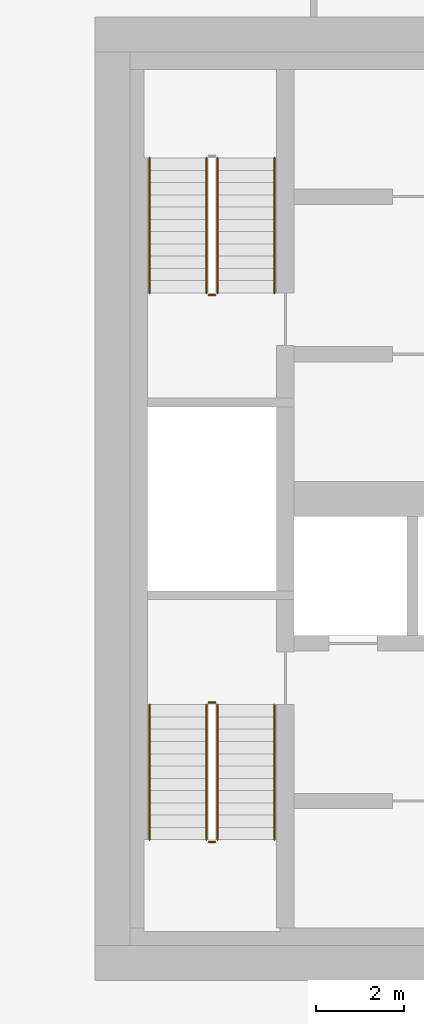
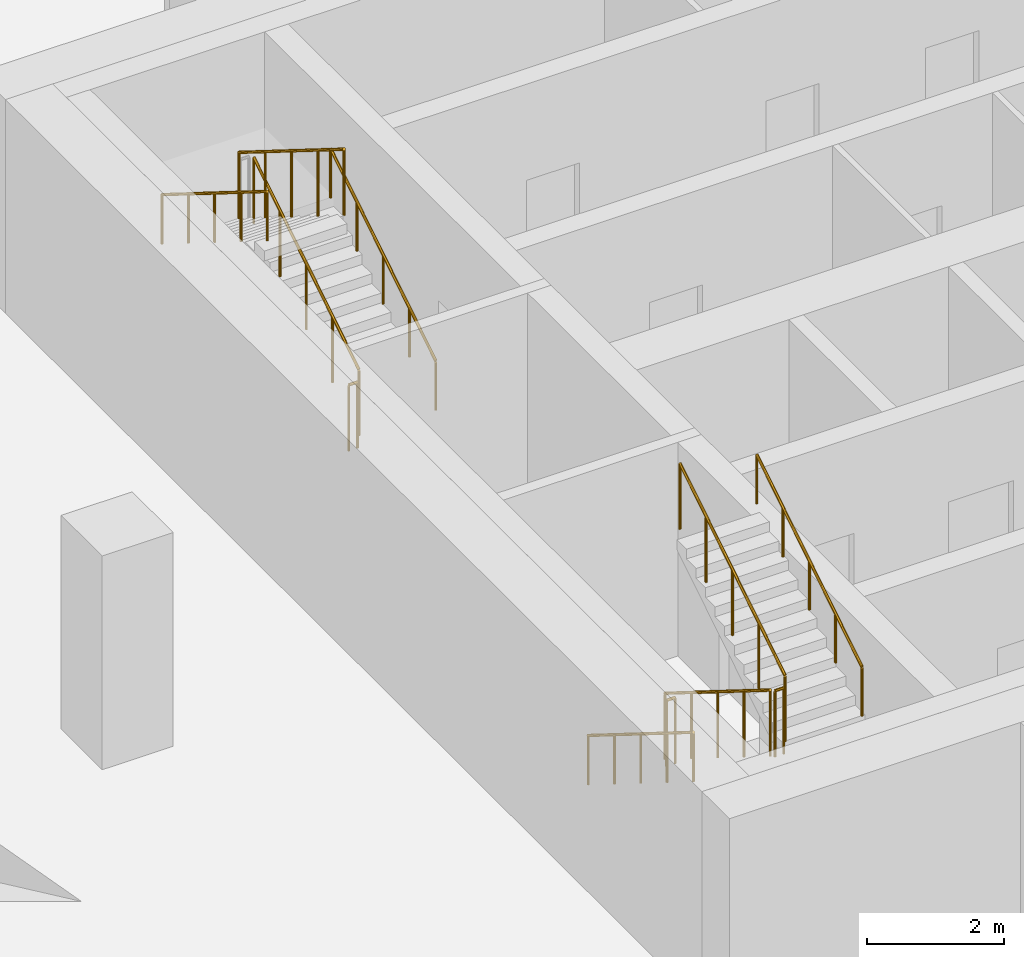
# One storey, part 15 of 18: 11 railings.
"""IFC4 building model written with IfcOpenShell, lengths in metres."""

from ifc_helpers import new_model, si_unit, direction, frame, origin, origin_2d, place, context, subcontext, project, spatial, circle, extrude, material, type_object, element, save


model = new_model("IFC4")

# Units and contexts
model_context = context("Model", 3, precision=1e-05, world=origin(), true_north=direction((0.0, 1.0)))
body_context = subcontext(model_context, "Body", "Model", "MODEL_VIEW")
ifc_project = project(units=[si_unit("LENGTHUNIT", "METRE"), si_unit("AREAUNIT", "SQUARE_METRE"), si_unit("VOLUMEUNIT", "CUBIC_METRE"), si_unit("PLANEANGLEUNIT", "RADIAN"), si_unit("MASSUNIT", "GRAM", prefix="KILO")], contexts=[model_context])

# Site, building, storey
site_placement = place(None, origin())
site = spatial("IfcSite", under=ifc_project, at=site_placement, CompositionType="ELEMENT")
building_placement = place(site_placement, origin())
building = spatial("IfcBuilding", under=site, at=building_placement, Name="Dongbaek Canopy Tower", CompositionType="ELEMENT")
storey_placement = place(building_placement, frame((0.0, 0.0, 167.0)))
storey = spatial("IfcBuildingStorey", under=building, at=storey_placement, Name="L36", CompositionType="ELEMENT", Elevation=167.0)

# Railings
ifc_material_1 = material(Name="Stainless steel tube and balusters", Category="steel")
railing_type_1 = type_object("IfcRailingType", Name="Stair guard 1200", PredefinedType="GUARDRAIL", material=ifc_material_1)
railing_1_placement = place(storey_placement, frame((-11.199951171875, 4.699951171875, 0.175048828125)))
element("IfcRailing", 1, at=railing_1_placement, inside=storey, type_object=railing_type_1, Name="L36 ST-C stair guard 1", PredefinedType="GUARDRAIL", context=body_context, shape_type="SweptSolid", body=[
    extrude(circle(Radius=0.02392578125, at=origin_2d()), frame((0.0, 0.0, 1.17578125), z_axis=(0.0, 0.847998304005, 0.529998940003), x_axis=(-1.0, 0.0, 0.0)), (0.0, 0.0, 1.0), 3.632080078125),
    extrude(circle(Radius=0.02099609375, at=origin_2d()), origin(), (0.0, 0.0, 1.0), 1.15185546875),
    extrude(circle(Radius=0.02099609375, at=origin_2d()), frame((0.0, 0.77001953125, 0.481201171875)), (0.0, 0.0, 1.0), 1.15185546875),
    extrude(circle(Radius=0.02099609375, at=origin_2d()), frame((0.0, 1.5400390625, 0.96240234375)), (0.0, 0.0, 1.0), 1.15185546875),
    extrude(circle(Radius=0.02099609375, at=origin_2d()), frame((0.0, 2.31005859375, 1.44384765625)), (0.0, 0.0, 1.0), 1.15185546875),
    extrude(circle(Radius=0.02099609375, at=origin_2d()), frame((0.0, 3.080078125, 1.925048828125)), (0.0, 0.0, 1.0), 1.15185546875),
])
railing_2_placement = place(storey_placement, frame((-11.449951171875, 7.780029296875, 2.27490234375)))
element("IfcRailing", 2, at=railing_2_placement, inside=storey, type_object=railing_type_1, Name="L36 ST-C stair guard 3", PredefinedType="GUARDRAIL", context=body_context, shape_type="SweptSolid", body=[
    extrude(circle(Radius=0.02392578125, at=origin_2d()), frame((0.0, 0.0, 1.17578125), z_axis=(0.0, -0.847998304005, 0.529998940003), x_axis=(1.0, 0.0, 0.0)), (0.0, 0.0, 1.0), 3.632080078125),
    extrude(circle(Radius=0.02099609375, at=origin_2d()), origin(), (0.0, 0.0, 1.0), 1.15185546875),
    extrude(circle(Radius=0.02099609375, at=origin_2d()), frame((0.0, -0.77001953125, 0.481201171875)), (0.0, 0.0, 1.0), 1.15185546875),
    extrude(circle(Radius=0.02099609375, at=origin_2d()), frame((0.0, -1.5400390625, 0.96240234375)), (0.0, 0.0, 1.0), 1.15185546875),
    extrude(circle(Radius=0.02099609375, at=origin_2d()), frame((0.0, -2.31005859375, 1.44384765625)), (0.0, 0.0, 1.0), 1.15185546875),
    extrude(circle(Radius=0.02099609375, at=origin_2d()), frame((0.0, -3.080078125, 1.925048828125)), (0.0, 0.0, 1.0), 1.15185546875),
])
railing_3_placement = place(storey_placement, frame((-11.25, 4.64990234375, 0.0)))
element("IfcRailing", 3, at=railing_3_placement, inside=storey, type_object=railing_type_1, Name="L36 ST-C stair guard 4", PredefinedType="GUARDRAIL", context=body_context, shape_type="SweptSolid", body=[
    extrude(circle(Radius=0.02392578125, at=origin_2d()), frame((0.0, 0.0, 1.17578125), z_axis=(-1.0, 0.0, 0.0), x_axis=(0.0, -1.0, 0.0)), (0.0, 0.0, 1.0), 0.14990234375),
    extrude(circle(Radius=0.02099609375, at=origin_2d()), origin(), (0.0, 0.0, 1.0), 1.15185546875),
    extrude(circle(Radius=0.02099609375, at=origin_2d()), frame((-0.14990234375, 0.0, 0.0)), (0.0, 0.0, 1.0), 1.15185546875),
])
railing_4_placement = place(storey_placement, frame((-11.449951171875, -4.699951171875, 0.175048828125)))
element("IfcRailing", 4, at=railing_4_placement, inside=storey, type_object=railing_type_1, Name="L36 ST-D stair guard 1", PredefinedType="GUARDRAIL", context=body_context, shape_type="SweptSolid", body=[
    extrude(circle(Radius=0.02392578125, at=origin_2d()), frame((0.0, 0.0, 1.17578125), z_axis=(0.0, -0.847998304005, 0.529998940003), x_axis=(1.0, 0.0, 0.0)), (0.0, 0.0, 1.0), 3.632080078125),
    extrude(circle(Radius=0.02099609375, at=origin_2d()), origin(), (0.0, 0.0, 1.0), 1.15185546875),
    extrude(circle(Radius=0.02099609375, at=origin_2d()), frame((0.0, -0.77001953125, 0.481201171875)), (0.0, 0.0, 1.0), 1.15185546875),
    extrude(circle(Radius=0.02099609375, at=origin_2d()), frame((0.0, -1.5400390625, 0.96240234375)), (0.0, 0.0, 1.0), 1.15185546875),
    extrude(circle(Radius=0.02099609375, at=origin_2d()), frame((0.0, -2.31005859375, 1.44384765625)), (0.0, 0.0, 1.0), 1.15185546875),
    extrude(circle(Radius=0.02099609375, at=origin_2d()), frame((0.0, -3.080078125, 1.925048828125)), (0.0, 0.0, 1.0), 1.15185546875),
])
railing_5_placement = place(storey_placement, frame((-11.39990234375, -7.830078125, 2.10009765625)))
element("IfcRailing", 5, at=railing_5_placement, inside=storey, type_object=railing_type_1, Name="L36 ST-D stair guard 2", PredefinedType="GUARDRAIL", context=body_context, shape_type="SweptSolid", body=[
    extrude(circle(Radius=0.02392578125, at=origin_2d()), frame((0.0, 0.0, 1.17578125), z_axis=(1.0, 0.0, 0.0), x_axis=(0.0, 1.0, 0.0)), (0.0, 0.0, 1.0), 0.14990234375),
    extrude(circle(Radius=0.02099609375, at=origin_2d()), origin(), (0.0, 0.0, 1.0), 1.15185546875),
    extrude(circle(Radius=0.02099609375, at=origin_2d()), frame((0.14990234375, 0.0, 0.0)), (0.0, 0.0, 1.0), 1.15185546875),
])
railing_6_placement = place(storey_placement, frame((-11.199951171875, -7.780029296875, 2.27490234375)))
element("IfcRailing", 6, at=railing_6_placement, inside=storey, type_object=railing_type_1, Name="L36 ST-D stair guard 3", PredefinedType="GUARDRAIL", context=body_context, shape_type="SweptSolid", body=[
    extrude(circle(Radius=0.02392578125, at=origin_2d()), frame((0.0, 0.0, 1.17578125), z_axis=(0.0, 0.847998304005, 0.529998940003), x_axis=(-1.0, 0.0, 0.0)), (0.0, 0.0, 1.0), 3.632080078125),
    extrude(circle(Radius=0.02099609375, at=origin_2d()), origin(), (0.0, 0.0, 1.0), 1.15185546875),
    extrude(circle(Radius=0.02099609375, at=origin_2d()), frame((0.0, 0.77001953125, 0.481201171875)), (0.0, 0.0, 1.0), 1.15185546875),
    extrude(circle(Radius=0.02099609375, at=origin_2d()), frame((0.0, 1.5400390625, 0.96240234375)), (0.0, 0.0, 1.0), 1.15185546875),
    extrude(circle(Radius=0.02099609375, at=origin_2d()), frame((0.0, 2.31005859375, 1.44384765625)), (0.0, 0.0, 1.0), 1.15185546875),
    extrude(circle(Radius=0.02099609375, at=origin_2d()), frame((0.0, 3.080078125, 1.925048828125)), (0.0, 0.0, 1.0), 1.15185546875),
])
railing_7_placement = place(storey_placement, frame((-11.39990234375, -4.64990234375, 0.0)))
element("IfcRailing", 7, at=railing_7_placement, inside=storey, type_object=railing_type_1, Name="L36 ST-D stair guard 4", PredefinedType="GUARDRAIL", context=body_context, shape_type="SweptSolid", body=[
    extrude(circle(Radius=0.02392578125, at=origin_2d()), frame((0.0, 0.0, 1.17578125), z_axis=(1.0, 0.0, 0.0), x_axis=(0.0, 1.0, 0.0)), (0.0, 0.0, 1.0), 0.14990234375),
    extrude(circle(Radius=0.02099609375, at=origin_2d()), origin(), (0.0, 0.0, 1.0), 1.15185546875),
    extrude(circle(Radius=0.02099609375, at=origin_2d()), frame((0.14990234375, 0.0, 0.0)), (0.0, 0.0, 1.0), 1.15185546875),
])
ifc_material_2 = material(Name="Stainless steel tube", Category="steel")
railing_type_2 = type_object("IfcRailingType", Name="Stair handrail 900", PredefinedType="HANDRAIL", material=ifc_material_2)
railing_8_placement = place(storey_placement, frame((-9.89990234375, 4.699951171875, 0.175048828125)))
element("IfcRailing", 8, at=railing_8_placement, inside=storey, type_object=railing_type_2, Name="L36 ST-C stair handrail 1", PredefinedType="HANDRAIL", context=body_context, shape_type="SweptSolid", body=[
    extrude(circle(Radius=0.02392578125, at=origin_2d()), frame((0.0, 0.0, 0.8759765625), z_axis=(0.0, 0.847998304005, 0.529998940003), x_axis=(-1.0, 0.0, 0.0)), (0.0, 0.0, 1.0), 3.632080078125),
    extrude(circle(Radius=0.02099609375, at=origin_2d()), origin(), (0.0, 0.0, 1.0), 0.851806640625),
    extrude(circle(Radius=0.02099609375, at=origin_2d()), frame((0.0, 0.77001953125, 0.481201171875)), (0.0, 0.0, 1.0), 0.851806640625),
    extrude(circle(Radius=0.02099609375, at=origin_2d()), frame((0.0, 1.5400390625, 0.96240234375)), (0.0, 0.0, 1.0), 0.851806640625),
    extrude(circle(Radius=0.02099609375, at=origin_2d()), frame((0.0, 2.31005859375, 1.44384765625)), (0.0, 0.0, 1.0), 0.851806640625),
    extrude(circle(Radius=0.02099609375, at=origin_2d()), frame((0.0, 3.080078125, 1.925048828125)), (0.0, 0.0, 1.0), 0.851806640625),
])
for number, where, name in (
    (9, (-12.75, 7.780029296875, 2.27490234375), "L36 ST-C stair handrail 2"),
    (10, (-12.75, -4.699951171875, 0.175048828125), "L36 ST-D stair handrail 1"),
):
    element("IfcRailing", number, at=place(storey_placement, frame(where)), inside=storey, type_object=railing_type_2, Name=name, PredefinedType="HANDRAIL", context=body_context, shape_type="SweptSolid", body=[
        extrude(circle(Radius=0.02392578125, at=origin_2d()), frame((0.0, 0.0, 0.8759765625), z_axis=(0.0, -0.847998304005, 0.529998940003), x_axis=(1.0, 0.0, 0.0)), (0.0, 0.0, 1.0), 3.632080078125),
        extrude(circle(Radius=0.02099609375, at=origin_2d()), origin(), (0.0, 0.0, 1.0), 0.851806640625),
        extrude(circle(Radius=0.02099609375, at=origin_2d()), frame((0.0, -0.77001953125, 0.481201171875)), (0.0, 0.0, 1.0), 0.851806640625),
        extrude(circle(Radius=0.02099609375, at=origin_2d()), frame((0.0, -1.5400390625, 0.96240234375)), (0.0, 0.0, 1.0), 0.851806640625),
        extrude(circle(Radius=0.02099609375, at=origin_2d()), frame((0.0, -2.31005859375, 1.44384765625)), (0.0, 0.0, 1.0), 0.851806640625),
        extrude(circle(Radius=0.02099609375, at=origin_2d()), frame((0.0, -3.080078125, 1.925048828125)), (0.0, 0.0, 1.0), 0.851806640625),
    ])
railing_9_placement = place(storey_placement, frame((-9.89990234375, -7.780029296875, 2.27490234375)))
element("IfcRailing", 11, at=railing_9_placement, inside=storey, type_object=railing_type_2, Name="L36 ST-D stair handrail 2", PredefinedType="HANDRAIL", context=body_context, shape_type="SweptSolid", body=[
    extrude(circle(Radius=0.02392578125, at=origin_2d()), frame((0.0, 0.0, 0.8759765625), z_axis=(0.0, 0.847998304005, 0.529998940003), x_axis=(-1.0, 0.0, 0.0)), (0.0, 0.0, 1.0), 3.632080078125),
    extrude(circle(Radius=0.02099609375, at=origin_2d()), origin(), (0.0, 0.0, 1.0), 0.851806640625),
    extrude(circle(Radius=0.02099609375, at=origin_2d()), frame((0.0, 0.77001953125, 0.481201171875)), (0.0, 0.0, 1.0), 0.851806640625),
    extrude(circle(Radius=0.02099609375, at=origin_2d()), frame((0.0, 1.5400390625, 0.96240234375)), (0.0, 0.0, 1.0), 0.851806640625),
    extrude(circle(Radius=0.02099609375, at=origin_2d()), frame((0.0, 2.31005859375, 1.44384765625)), (0.0, 0.0, 1.0), 0.851806640625),
    extrude(circle(Radius=0.02099609375, at=origin_2d()), frame((0.0, 3.080078125, 1.925048828125)), (0.0, 0.0, 1.0), 0.851806640625),
])

save(model, "model.ifc")
